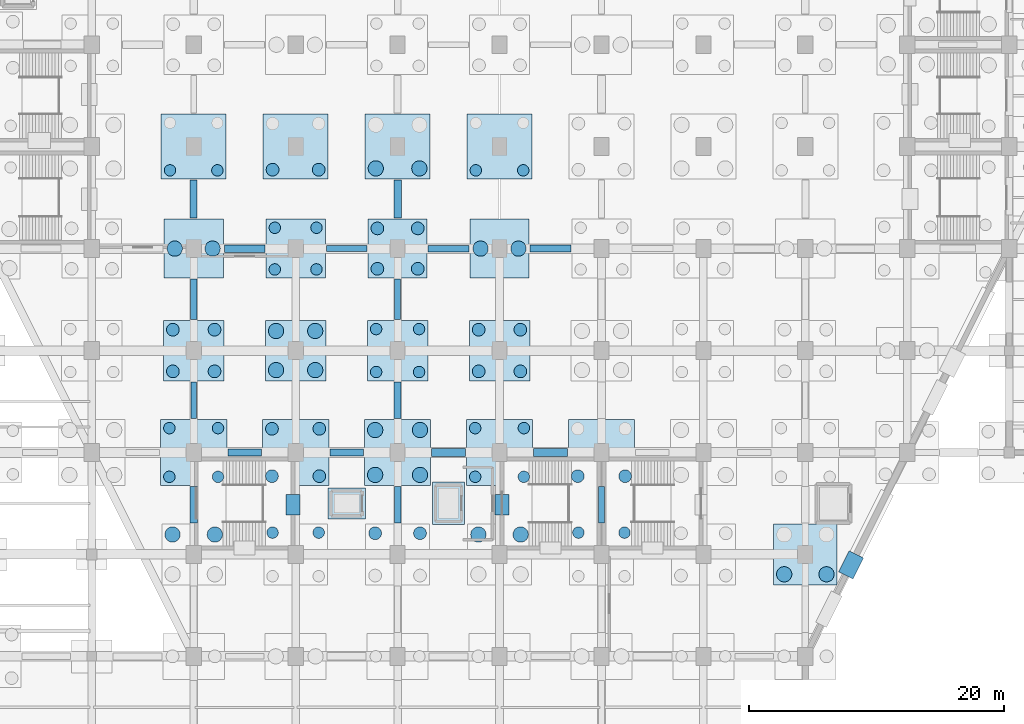
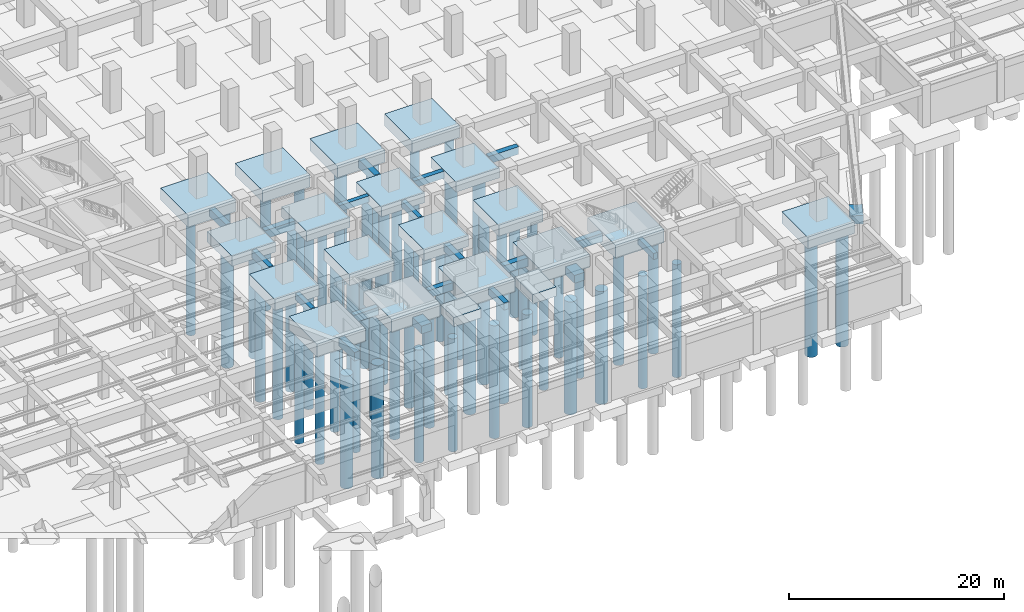
# One storey, part 4 of 36: 66 piles, 40 footings.
"""IFC4 building model written with IfcOpenShell, lengths in metres."""

from ifc_helpers import new_model, si_unit, direction, frame, origin, origin_2d, place, context, subcontext, project, spatial, rectangle, circle, extrude, material, material_profile, profile_set, type_object, element, save


model = new_model("IFC4")

# Units and contexts
model_context = context("Model", 3, precision=1e-05, world=origin(), true_north=direction((0.0, 1.0)))
body_context = subcontext(model_context, "Body", "Model", "MODEL_VIEW")
ifc_project = project(units=[si_unit("LENGTHUNIT", "METRE"), si_unit("AREAUNIT", "SQUARE_METRE"), si_unit("VOLUMEUNIT", "CUBIC_METRE"), si_unit("PLANEANGLEUNIT", "RADIAN"), si_unit("MASSUNIT", "GRAM", prefix="KILO")], contexts=[model_context])

# Site, building, storey
site_placement = place(None, origin())
site = spatial("IfcSite", under=ifc_project, at=site_placement, CompositionType="ELEMENT")
building_placement = place(site_placement, origin())
building = spatial("IfcBuilding", under=site, at=building_placement, Name="Tazarka Park Arena", CompositionType="ELEMENT")
storey_placement = place(building_placement, frame((0.0, 0.0, -4.800048828125)))
storey = spatial("IfcBuildingStorey", under=building, at=storey_placement, Name="B1", CompositionType="ELEMENT", Elevation=-4.800048828125)

# Footings
ifc_material_1 = material(Name="Concrete C35/45", Category="concrete")
footing_type_1 = type_object("IfcFootingType", Name="CAP-PC-04", PredefinedType="PILE_CAP", material=ifc_material_1)
footing_1_placement = place(storey_placement, frame((112.0, 24.0, -1.2998046875), z_axis=(0.0, 0.0, 1.0), x_axis=(1.0, 0.0, 0.0)))
element("IfcFooting", 1, at=footing_1_placement, inside=storey, type_object=footing_type_1, Name="CAP-G-14-03", PredefinedType="PILE_CAP", context=body_context, shape_type="SweptSolid", body=[
    extrude(rectangle(XDim=5.0, YDim=4.800048828125, at=origin_2d()), origin(), (0.0, 0.0, 1.0), 1.300048828125),
])
ifc_material_2 = material(Name="Concrete C35/45", Category="concrete")
footing_type_2 = type_object("IfcFootingType", Name="CAP-PC-05", PredefinedType="PILE_CAP", material=ifc_material_2)
for number, where, z_axis, x_axis, name in (
    (2, (64.0, 32.0, -1.5), (0.0, 0.0, 1.0), (1.0, 0.0, 0.0), "CAP-G-08-04"),
    (3, (72.0, 32.0, -1.5), (0.0, 0.0, 1.0), (1.0, 0.0, 0.0), "CAP-G-09-04"),
    (4, (80.0, 32.0, -1.5), (0.0, 0.0, 1.0), (1.0, 0.0, 0.0), "CAP-G-10-04"),
    (5, (88.0, 32.0, -1.5), (0.0, 0.0, 1.0), (1.0, 0.0, 0.0), "CAP-G-11-04"),
    (6, (96.0, 32.0, -1.5), (0.0, 0.0, 1.0), (1.0, 0.0, 0.0), "CAP-G-12-04"),
):
    element("IfcFooting", number, at=place(storey_placement, frame(where, z_axis=z_axis, x_axis=x_axis)), inside=storey, type_object=footing_type_2, Name=name, PredefinedType="PILE_CAP", context=body_context, shape_type="SweptSolid", body=[
        extrude(rectangle(XDim=5.199951171875, YDim=5.199951171875, at=origin_2d()), origin(), (0.0, 0.0, 1.0), 1.5),
    ])
ifc_material_3 = material(Name="Concrete C35/45", Category="concrete")
footing_type_3 = type_object("IfcFootingType", Name="CAP-PC-06", PredefinedType="PILE_CAP", material=ifc_material_3)
for number, where, z_axis, x_axis, name in (
    (7, (64.0, 40.0, -1.25), (0.0, 0.0, 1.0), (1.0, 0.0, 0.0), "CAP-G-08-05"),
    (8, (72.0, 40.0, -1.25), (0.0, 0.0, 1.0), (1.0, 0.0, 0.0), "CAP-G-09-05"),
    (9, (80.0, 40.0, -1.25), (0.0, 0.0, 1.0), (1.0, 0.0, 0.0), "CAP-G-10-05"),
    (10, (88.0, 40.0, -1.25), (0.0, 0.0, 1.0), (1.0, 0.0, 0.0), "CAP-G-11-05"),
):
    element("IfcFooting", number, at=place(storey_placement, frame(where, z_axis=z_axis, x_axis=x_axis)), inside=storey, type_object=footing_type_3, Name=name, PredefinedType="PILE_CAP", context=body_context, shape_type="SweptSolid", body=[
        extrude(rectangle(XDim=4.75, YDim=4.75, at=origin_2d()), origin(), (0.0, 0.0, 1.0), 1.25),
    ])
ifc_material_4 = material(Name="Concrete C35/45", Category="concrete")
footing_type_4 = type_object("IfcFootingType", Name="CAP-PC-07", PredefinedType="PILE_CAP", material=ifc_material_4)
for number, where, z_axis, x_axis, name in (
    (11, (64.0, 48.0, -1.14990234375), (0.0, 0.0, 1.0), (1.0, 0.0, 0.0), "CAP-G-08-06"),
    (12, (72.0, 48.0, -1.14990234375), (0.0, 0.0, 1.0), (1.0, 0.0, 0.0), "CAP-G-09-06"),
    (13, (80.0, 48.0, -1.14990234375), (0.0, 0.0, 1.0), (1.0, 0.0, 0.0), "CAP-G-10-06"),
    (14, (88.0, 48.0, -1.14990234375), (0.0, 0.0, 1.0), (1.0, 0.0, 0.0), "CAP-G-11-06"),
):
    element("IfcFooting", number, at=place(storey_placement, frame(where, z_axis=z_axis, x_axis=x_axis)), inside=storey, type_object=footing_type_4, Name=name, PredefinedType="PILE_CAP", context=body_context, shape_type="SweptSolid", body=[
        extrude(rectangle(XDim=4.64990234375, YDim=4.64990234375, at=origin_2d()), origin(), (0.0, 0.0, 1.0), 1.14990234375),
    ])
ifc_material_5 = material(Name="Concrete C35/45", Category="concrete")
footing_type_5 = type_object("IfcFootingType", Name="CAP-PC-08", PredefinedType="PILE_CAP", material=ifc_material_5)
for number, where, z_axis, x_axis, name in (
    (15, (64.0, 56.0, -1.35009765625), (0.0, 0.0, 1.0), (1.0, 0.0, 0.0), "CAP-G-08-07"),
    (16, (72.0, 56.0, -1.35009765625), (0.0, 0.0, 1.0), (1.0, 0.0, 0.0), "CAP-G-09-07"),
    (17, (80.0, 56.0, -1.35009765625), (0.0, 0.0, 1.0), (1.0, 0.0, 0.0), "CAP-G-10-07"),
    (18, (88.0, 56.0, -1.35009765625), (0.0, 0.0, 1.0), (1.0, 0.0, 0.0), "CAP-G-11-07"),
):
    element("IfcFooting", number, at=place(storey_placement, frame(where, z_axis=z_axis, x_axis=x_axis)), inside=storey, type_object=footing_type_5, Name=name, PredefinedType="PILE_CAP", context=body_context, shape_type="SweptSolid", body=[
        extrude(rectangle(XDim=5.10009765625, YDim=5.10009765625, at=origin_2d()), origin(), (0.0, 0.0, 1.0), 1.35009765625),
    ])
ifc_material_6 = material(Name="Concrete C35/45", Category="concrete")
ifc_material_profile_1 = material_profile(ifc_material_6, rectangle(XDim=0.449951171875, YDim=0.699951171875, at=origin_2d()), Name="Concrete C35/45")
ifc_profile_set_1 = profile_set([ifc_material_profile_1], Name="Concrete C35/45")
footing_type_6 = type_object("IfcFootingType", Name="GB-GB-01", PredefinedType="FOOTING_BEAM", material=ifc_profile_set_1)
footing_2_placement = place(storey_placement, frame((64.0, 34.679931640625, -0.349853515625), z_axis=(0.0, 1.0, 0.0), x_axis=(-1.0, 0.0, 0.0)))
element("IfcFooting", 19, at=footing_2_placement, inside=storey, type_object=footing_type_6, Name="GB-Y-08-04", PredefinedType="FOOTING_BEAM", context=body_context, shape_type="SweptSolid", body=[
    extrude(rectangle(XDim=0.449951171875, YDim=0.699951171875, at=origin_2d()), origin(), (0.0, 0.0, 1.0), 2.864990234375),
])
footing_3_placement = place(storey_placement, frame((74.405029296875, 48.0, -0.349853515625), z_axis=(1.0, 0.0, 0.0), x_axis=(0.0, 1.0, 0.0)))
element("IfcFooting", 20, at=footing_3_placement, inside=storey, type_object=footing_type_6, Name="GB-X-09-06", PredefinedType="FOOTING_BEAM", context=body_context, shape_type="SweptSolid", body=[
    extrude(rectangle(XDim=0.449951171875, YDim=0.699951171875, at=origin_2d()), origin(), (0.0, 0.0, 1.0), 3.18994140625),
])
footing_4_placement = place(storey_placement, frame((80.0, 42.455078125, -0.349853515625), z_axis=(0.0, 1.0, 0.0), x_axis=(-1.0, 0.0, 0.0)))
element("IfcFooting", 21, at=footing_4_placement, inside=storey, type_object=footing_type_6, Name="GB-Y-10-05", PredefinedType="FOOTING_BEAM", context=body_context, shape_type="SweptSolid", body=[
    extrude(rectangle(XDim=0.449951171875, YDim=0.699951171875, at=origin_2d()), origin(), (0.0, 0.0, 1.0), 3.139892578125),
])
footing_5_placement = place(storey_placement, frame((96.0, 26.47998046875, -0.349853515625), z_axis=(0.0, 1.0, 0.0), x_axis=(-1.0, 0.0, 0.0)))
element("IfcFooting", 22, at=footing_5_placement, inside=storey, type_object=footing_type_6, Name="GB-Y-12-03", PredefinedType="FOOTING_BEAM", context=body_context, shape_type="SweptSolid", body=[
    extrude(rectangle(XDim=0.449951171875, YDim=0.699951171875, at=origin_2d()), origin(), (0.0, 0.0, 1.0), 2.840087890625),
])
ifc_material_7 = material(Name="Concrete C35/45", Category="concrete")
ifc_material_profile_2 = material_profile(ifc_material_7, rectangle(XDim=0.5, YDim=0.800048828125, at=origin_2d()), Name="Concrete C35/45")
ifc_profile_set_2 = profile_set([ifc_material_profile_2], Name="Concrete C35/45")
footing_type_7 = type_object("IfcFootingType", Name="GB-GB-02", PredefinedType="FOOTING_BEAM", material=ifc_profile_set_2)
footing_6_placement = place(storey_placement, frame((64.0, 42.455078125, -0.39990234375), z_axis=(0.0, 1.0, 0.0), x_axis=(-1.0, 0.0, 0.0)))
element("IfcFooting", 23, at=footing_6_placement, inside=storey, type_object=footing_type_7, Name="GB-Y-08-05", PredefinedType="FOOTING_BEAM", context=body_context, shape_type="SweptSolid", body=[
    extrude(rectangle(XDim=0.5, YDim=0.800048828125, at=origin_2d()), origin(), (0.0, 0.0, 1.0), 3.139892578125),
])
footing_7_placement = place(storey_placement, frame((80.0, 26.47998046875, -0.39990234375), z_axis=(0.0, 1.0, 0.0), x_axis=(-1.0, 0.0, 0.0)))
element("IfcFooting", 24, at=footing_7_placement, inside=storey, type_object=footing_type_7, Name="GB-Y-10-03", PredefinedType="FOOTING_BEAM", context=body_context, shape_type="SweptSolid", body=[
    extrude(rectangle(XDim=0.5, YDim=0.800048828125, at=origin_2d()), origin(), (0.0, 0.0, 1.0), 2.840087890625),
])
footing_8_placement = place(storey_placement, frame((82.405029296875, 48.0, -0.39990234375), z_axis=(1.0, 0.0, 0.0), x_axis=(0.0, 1.0, 0.0)))
element("IfcFooting", 25, at=footing_8_placement, inside=storey, type_object=footing_type_7, Name="GB-X-10-06", PredefinedType="FOOTING_BEAM", context=body_context, shape_type="SweptSolid", body=[
    extrude(rectangle(XDim=0.5, YDim=0.800048828125, at=origin_2d()), origin(), (0.0, 0.0, 1.0), 3.18994140625),
])
ifc_material_8 = material(Name="Concrete C35/45", Category="concrete")
ifc_material_profile_3 = material_profile(ifc_material_8, rectangle(XDim=0.60009765625, YDim=0.949951171875, at=origin_2d()), Name="Concrete C35/45")
ifc_profile_set_3 = profile_set([ifc_material_profile_3], Name="Concrete C35/45")
footing_type_8 = type_object("IfcFootingType", Name="GB-GB-03", PredefinedType="FOOTING_BEAM", material=ifc_profile_set_3)
footing_9_placement = place(storey_placement, frame((64.0, 26.47998046875, -0.474853515625), z_axis=(0.0, 1.0, 0.0), x_axis=(-1.0, 0.0, 0.0)))
element("IfcFooting", 26, at=footing_9_placement, inside=storey, type_object=footing_type_8, Name="GB-Y-08-03", PredefinedType="FOOTING_BEAM", context=body_context, shape_type="SweptSolid", body=[
    extrude(rectangle(XDim=0.60009765625, YDim=0.949951171875, at=origin_2d()), origin(), (0.0, 0.0, 1.0), 2.840087890625),
])
footing_10_placement = place(storey_placement, frame((66.405029296875, 48.0, -0.474853515625), z_axis=(1.0, 0.0, 0.0), x_axis=(0.0, 1.0, 0.0)))
element("IfcFooting", 27, at=footing_10_placement, inside=storey, type_object=footing_type_8, Name="GB-X-08-06", PredefinedType="FOOTING_BEAM", context=body_context, shape_type="SweptSolid", body=[
    extrude(rectangle(XDim=0.60009765625, YDim=0.949951171875, at=origin_2d()), origin(), (0.0, 0.0, 1.0), 3.18994140625),
])
footing_11_placement = place(storey_placement, frame((82.679931640625, 32.0, -0.474853515625), z_axis=(1.0, 0.0, 0.0), x_axis=(0.0, 1.0, 0.0)))
element("IfcFooting", 28, at=footing_11_placement, inside=storey, type_object=footing_type_8, Name="GB-X-10-04", PredefinedType="FOOTING_BEAM", context=body_context, shape_type="SweptSolid", body=[
    extrude(rectangle(XDim=0.60009765625, YDim=0.949951171875, at=origin_2d()), origin(), (0.0, 0.0, 1.0), 2.64013671875),
])
footing_12_placement = place(storey_placement, frame((80.0, 50.405029296875, -0.474853515625), z_axis=(0.0, 1.0, 0.0), x_axis=(-1.0, 0.0, 0.0)))
element("IfcFooting", 29, at=footing_12_placement, inside=storey, type_object=footing_type_8, Name="GB-Y-10-06", PredefinedType="FOOTING_BEAM", context=body_context, shape_type="SweptSolid", body=[
    extrude(rectangle(XDim=0.60009765625, YDim=0.949951171875, at=origin_2d()), origin(), (0.0, 0.0, 1.0), 2.965087890625),
])
footing_13_placement = place(storey_placement, frame((90.679931640625, 32.0, -0.474853515625), z_axis=(1.0, 0.0, 0.0), x_axis=(0.0, 1.0, 0.0)))
element("IfcFooting", 30, at=footing_13_placement, inside=storey, type_object=footing_type_8, Name="GB-X-11-04", PredefinedType="FOOTING_BEAM", context=body_context, shape_type="SweptSolid", body=[
    extrude(rectangle(XDim=0.60009765625, YDim=0.949951171875, at=origin_2d()), origin(), (0.0, 0.0, 1.0), 2.64013671875),
])
ifc_material_9 = material(Name="Concrete C35/45", Category="concrete")
ifc_material_profile_4 = material_profile(ifc_material_9, rectangle(XDim=0.550048828125, YDim=0.85009765625, at=origin_2d()), Name="Concrete C35/45")
ifc_profile_set_4 = profile_set([ifc_material_profile_4], Name="Concrete C35/45")
footing_type_9 = type_object("IfcFootingType", Name="GB-GB-04", PredefinedType="FOOTING_BEAM", material=ifc_profile_set_4)
footing_14_placement = place(storey_placement, frame((66.679931640625, 32.0, -0.425048828125), z_axis=(1.0, 0.0, 0.0), x_axis=(0.0, 1.0, 0.0)))
element("IfcFooting", 31, at=footing_14_placement, inside=storey, type_object=footing_type_9, Name="GB-X-08-04", PredefinedType="FOOTING_BEAM", context=body_context, shape_type="SweptSolid", body=[
    extrude(rectangle(XDim=0.550048828125, YDim=0.85009765625, at=origin_2d()), origin(), (0.0, 0.0, 1.0), 2.64013671875),
])
footing_15_placement = place(storey_placement, frame((64.0, 50.405029296875, -0.425048828125), z_axis=(0.0, 1.0, 0.0), x_axis=(-1.0, 0.0, 0.0)))
element("IfcFooting", 32, at=footing_15_placement, inside=storey, type_object=footing_type_9, Name="GB-Y-08-06", PredefinedType="FOOTING_BEAM", context=body_context, shape_type="SweptSolid", body=[
    extrude(rectangle(XDim=0.550048828125, YDim=0.85009765625, at=origin_2d()), origin(), (0.0, 0.0, 1.0), 2.965087890625),
])
footing_16_placement = place(storey_placement, frame((74.679931640625, 32.0, -0.425048828125), z_axis=(1.0, 0.0, 0.0), x_axis=(0.0, 1.0, 0.0)))
element("IfcFooting", 33, at=footing_16_placement, inside=storey, type_object=footing_type_9, Name="GB-X-09-04", PredefinedType="FOOTING_BEAM", context=body_context, shape_type="SweptSolid", body=[
    extrude(rectangle(XDim=0.550048828125, YDim=0.85009765625, at=origin_2d()), origin(), (0.0, 0.0, 1.0), 2.64013671875),
])
footing_17_placement = place(storey_placement, frame((80.0, 34.679931640625, -0.425048828125), z_axis=(0.0, 1.0, 0.0), x_axis=(-1.0, 0.0, 0.0)))
element("IfcFooting", 34, at=footing_17_placement, inside=storey, type_object=footing_type_9, Name="GB-Y-10-04", PredefinedType="FOOTING_BEAM", context=body_context, shape_type="SweptSolid", body=[
    extrude(rectangle(XDim=0.550048828125, YDim=0.85009765625, at=origin_2d()), origin(), (0.0, 0.0, 1.0), 2.864990234375),
])
footing_18_placement = place(storey_placement, frame((90.405029296875, 48.0, -0.425048828125), z_axis=(1.0, 0.0, 0.0), x_axis=(0.0, 1.0, 0.0)))
element("IfcFooting", 35, at=footing_18_placement, inside=storey, type_object=footing_type_9, Name="GB-X-11-06", PredefinedType="FOOTING_BEAM", context=body_context, shape_type="SweptSolid", body=[
    extrude(rectangle(XDim=0.550048828125, YDim=0.85009765625, at=origin_2d()), origin(), (0.0, 0.0, 1.0), 3.18994140625),
])
ifc_material_10 = material(Name="Concrete C35/45", Category="concrete")
footing_type_10 = type_object("IfcFootingType", Name="PAD-PF-05", PredefinedType="PAD_FOOTING", material=ifc_material_10)
footing_19_placement = place(storey_placement, frame((84.0, 28.0, -1.0498046875), z_axis=(0.0, 0.0, 1.0), x_axis=(1.0, 0.0, 0.0)))
element("IfcFooting", 36, at=footing_19_placement, inside=storey, type_object=footing_type_10, Name="PAD-LF-LF-04", PredefinedType="PAD_FOOTING", context=body_context, shape_type="SweptSolid", body=[
    extrude(rectangle(XDim=2.5400390625, YDim=3.340087890625, at=origin_2d()), origin(), (0.0, 0.0, 1.0), 1.050048828125),
])
footing_20_placement = place(storey_placement, frame((76.0, 28.0, -1.0498046875), z_axis=(0.0, 0.0, 1.0), x_axis=(1.0, 0.0, 0.0)))
element("IfcFooting", 37, at=footing_20_placement, inside=storey, type_object=footing_type_10, Name="PAD-LF-LF-08", PredefinedType="PAD_FOOTING", context=body_context, shape_type="SweptSolid", body=[
    extrude(rectangle(XDim=2.93994140625, YDim=2.43994140625, at=origin_2d()), origin(), (0.0, 0.0, 1.0), 1.050048828125),
])

# Piles
ifc_material_11 = material(Name="Concrete C35/45", Category="concrete")
ifc_material_profile_5 = material_profile(ifc_material_11, circle(Radius=0.5, at=origin_2d()), Name="Concrete C35/45")
ifc_profile_set_5 = profile_set([ifc_material_profile_5], Name="Concrete C35/45")
pile_type_1 = type_object("IfcPileType", Name="PILE-D1000", PredefinedType="BORED", material=ifc_profile_set_5)
for number, where, z_axis, x_axis, name in (
    (38, (62.364990234375, 38.364990234375, -1.14990234375), (0.0, 0.0, -1.0), (1.0, 0.0, 0.0), "PLN-G-08-05-1"),
    (39, (65.635009765625, 38.364990234375, -1.14990234375), (0.0, 0.0, -1.0), (1.0, 0.0, 0.0), "PLN-G-08-05-2"),
    (40, (62.364990234375, 41.635009765625, -1.14990234375), (0.0, 0.0, -1.0), (1.0, 0.0, 0.0), "PLN-G-08-05-3"),
    (41, (65.635009765625, 41.635009765625, -1.14990234375), (0.0, 0.0, -1.0), (1.0, 0.0, 0.0), "PLN-G-08-05-4"),
):
    element("IfcPile", number, at=place(storey_placement, frame(where, z_axis=z_axis, x_axis=x_axis)), inside=storey, type_object=pile_type_1, Name=name, PredefinedType="BORED", context=body_context, shape_type="SweptSolid", body=[
        extrude(circle(Radius=0.5, at=origin_2d()), origin(), (0.0, 0.0, 1.0), 12.85009765625),
    ])
for number, where, z_axis, x_axis, name in (
    (42, (70.139892578125, 30.139892578125, -1.39990234375), (0.0, 0.0, -1.0), (1.0, 0.0, 0.0), "PLN-G-09-04-1"),
    (43, (73.860107421875, 30.139892578125, -1.39990234375), (0.0, 0.0, -1.0), (1.0, 0.0, 0.0), "PLN-G-09-04-2"),
    (44, (70.139892578125, 33.860107421875, -1.39990234375), (0.0, 0.0, -1.0), (1.0, 0.0, 0.0), "PLN-G-09-04-3"),
    (45, (73.860107421875, 33.860107421875, -1.39990234375), (0.0, 0.0, -1.0), (1.0, 0.0, 0.0), "PLN-G-09-04-4"),
):
    element("IfcPile", number, at=place(storey_placement, frame(where, z_axis=z_axis, x_axis=x_axis)), inside=storey, type_object=pile_type_1, Name=name, PredefinedType="BORED", context=body_context, shape_type="SweptSolid", body=[
        extrude(circle(Radius=0.5, at=origin_2d()), origin(), (0.0, 0.0, 1.0), 12.60009765625),
    ])
for number, where, z_axis, x_axis, name in (
    (46, (70.18994140625, 54.18994140625, -1.25), (0.0, 0.0, -1.0), (1.0, 0.0, 0.0), "PLN-G-09-07-1"),
    (47, (73.81005859375, 54.18994140625, -1.25), (0.0, 0.0, -1.0), (1.0, 0.0, 0.0), "PLN-G-09-07-2"),
):
    element("IfcPile", number, at=place(storey_placement, frame(where, z_axis=z_axis, x_axis=x_axis)), inside=storey, type_object=pile_type_1, Name=name, PredefinedType="BORED", context=body_context, shape_type="SweptSolid", body=[
        extrude(circle(Radius=0.5, at=origin_2d()), origin(), (0.0, 0.0, 1.0), 12.75),
    ])
for number, where, z_axis, x_axis, name in (
    (48, (78.239990234375, 25.659912109375, -1.199951171875), (0.0, 0.0, -1.0), (1.0, 0.0, 0.0), "PLN-G-10-03-3"),
    (49, (81.760009765625, 25.659912109375, -1.199951171875), (0.0, 0.0, -1.0), (1.0, 0.0, 0.0), "PLN-G-10-03-4"),
):
    element("IfcPile", number, at=place(storey_placement, frame(where, z_axis=z_axis, x_axis=x_axis)), inside=storey, type_object=pile_type_1, Name=name, PredefinedType="BORED", context=body_context, shape_type="SweptSolid", body=[
        extrude(circle(Radius=0.5, at=origin_2d()), origin(), (0.0, 0.0, 1.0), 12.800048828125),
    ])
for number, where, z_axis, x_axis, name in (
    (50, (78.4150390625, 46.4150390625, -1.050048828125), (0.0, 0.0, -1.0), (1.0, 0.0, 0.0), "PLN-G-10-06-1"),
    (51, (81.5849609375, 46.4150390625, -1.050048828125), (0.0, 0.0, -1.0), (1.0, 0.0, 0.0), "PLN-G-10-06-2"),
    (52, (78.4150390625, 49.5849609375, -1.050048828125), (0.0, 0.0, -1.0), (1.0, 0.0, 0.0), "PLN-G-10-06-3"),
    (53, (81.5849609375, 49.5849609375, -1.050048828125), (0.0, 0.0, -1.0), (1.0, 0.0, 0.0), "PLN-G-10-06-4"),
):
    element("IfcPile", number, at=place(storey_placement, frame(where, z_axis=z_axis, x_axis=x_axis)), inside=storey, type_object=pile_type_1, Name=name, PredefinedType="BORED", context=body_context, shape_type="SweptSolid", body=[
        extrude(circle(Radius=0.5, at=origin_2d()), origin(), (0.0, 0.0, 1.0), 12.949951171875),
    ])
for number, where, z_axis, x_axis, name in (
    (54, (86.364990234375, 38.364990234375, -1.14990234375), (0.0, 0.0, -1.0), (1.0, 0.0, 0.0), "PLN-G-11-05-1"),
    (55, (89.635009765625, 38.364990234375, -1.14990234375), (0.0, 0.0, -1.0), (1.0, 0.0, 0.0), "PLN-G-11-05-2"),
    (56, (86.364990234375, 41.635009765625, -1.14990234375), (0.0, 0.0, -1.0), (1.0, 0.0, 0.0), "PLN-G-11-05-3"),
    (57, (89.635009765625, 41.635009765625, -1.14990234375), (0.0, 0.0, -1.0), (1.0, 0.0, 0.0), "PLN-G-11-05-4"),
):
    element("IfcPile", number, at=place(storey_placement, frame(where, z_axis=z_axis, x_axis=x_axis)), inside=storey, type_object=pile_type_1, Name=name, PredefinedType="BORED", context=body_context, shape_type="SweptSolid", body=[
        extrude(circle(Radius=0.5, at=origin_2d()), origin(), (0.0, 0.0, 1.0), 12.85009765625),
    ])
for number, where, z_axis, x_axis, name in (
    (58, (94.139892578125, 30.139892578125, -1.39990234375), (0.0, 0.0, -1.0), (1.0, 0.0, 0.0), "PLN-G-12-04-1"),
    (59, (97.860107421875, 30.139892578125, -1.39990234375), (0.0, 0.0, -1.0), (1.0, 0.0, 0.0), "PLN-G-12-04-2"),
):
    element("IfcPile", number, at=place(storey_placement, frame(where, z_axis=z_axis, x_axis=x_axis)), inside=storey, type_object=pile_type_1, Name=name, PredefinedType="BORED", context=body_context, shape_type="SweptSolid", body=[
        extrude(circle(Radius=0.5, at=origin_2d()), origin(), (0.0, 0.0, 1.0), 12.60009765625),
    ])
ifc_material_12 = material(Name="Concrete C35/45", Category="concrete")
ifc_material_profile_6 = material_profile(ifc_material_12, circle(Radius=0.60009765625, at=origin_2d()), Name="Concrete C35/45")
ifc_profile_set_6 = profile_set([ifc_material_profile_6], Name="Concrete C35/45")
pile_type_2 = type_object("IfcPileType", Name="PILE-D1200", PredefinedType="BORED", material=ifc_profile_set_6)
for number, where, z_axis, x_axis, name in (
    (60, (62.340087890625, 25.56005859375, -1.199951171875), (0.0, 0.0, -1.0), (1.0, 0.0, 0.0), "PLN-G-08-03-3"),
    (61, (65.659912109375, 25.56005859375, -1.199951171875), (0.0, 0.0, -1.0), (1.0, 0.0, 0.0), "PLN-G-08-03-4"),
):
    element("IfcPile", number, at=place(storey_placement, frame(where, z_axis=z_axis, x_axis=x_axis)), inside=storey, type_object=pile_type_2, Name=name, PredefinedType="BORED", context=body_context, shape_type="SweptSolid", body=[
        extrude(circle(Radius=0.60009765625, at=origin_2d()), origin(), (0.0, 0.0, 1.0), 12.800048828125),
    ])
for number, where, z_axis, x_axis, name in (
    (62, (62.514892578125, 48.0, -1.050048828125), (0.0, 0.0, -1.0), (1.0, 0.0, 0.0), "PLN-G-08-06-1"),
    (63, (65.485107421875, 48.0, -1.050048828125), (0.0, 0.0, -1.0), (1.0, 0.0, 0.0), "PLN-G-08-06-2"),
):
    element("IfcPile", number, at=place(storey_placement, frame(where, z_axis=z_axis, x_axis=x_axis)), inside=storey, type_object=pile_type_2, Name=name, PredefinedType="BORED", context=body_context, shape_type="SweptSolid", body=[
        extrude(circle(Radius=0.60009765625, at=origin_2d()), origin(), (0.0, 0.0, 1.0), 12.949951171875),
    ])
for number, where, z_axis, x_axis, name in (
    (64, (70.465087890625, 38.465087890625, -1.14990234375), (0.0, 0.0, -1.0), (1.0, 0.0, 0.0), "PLN-G-09-05-1"),
    (65, (73.534912109375, 38.465087890625, -1.14990234375), (0.0, 0.0, -1.0), (1.0, 0.0, 0.0), "PLN-G-09-05-2"),
    (66, (70.465087890625, 41.534912109375, -1.14990234375), (0.0, 0.0, -1.0), (1.0, 0.0, 0.0), "PLN-G-09-05-3"),
    (67, (73.534912109375, 41.534912109375, -1.14990234375), (0.0, 0.0, -1.0), (1.0, 0.0, 0.0), "PLN-G-09-05-4"),
):
    element("IfcPile", number, at=place(storey_placement, frame(where, z_axis=z_axis, x_axis=x_axis)), inside=storey, type_object=pile_type_2, Name=name, PredefinedType="BORED", context=body_context, shape_type="SweptSolid", body=[
        extrude(circle(Radius=0.60009765625, at=origin_2d()), origin(), (0.0, 0.0, 1.0), 12.85009765625),
    ])
for number, where, z_axis, x_axis, name in (
    (68, (78.239990234375, 30.239990234375, -1.39990234375), (0.0, 0.0, -1.0), (1.0, 0.0, 0.0), "PLN-G-10-04-1"),
    (69, (81.760009765625, 30.239990234375, -1.39990234375), (0.0, 0.0, -1.0), (1.0, 0.0, 0.0), "PLN-G-10-04-2"),
    (70, (78.239990234375, 33.760009765625, -1.39990234375), (0.0, 0.0, -1.0), (1.0, 0.0, 0.0), "PLN-G-10-04-3"),
    (71, (81.760009765625, 33.760009765625, -1.39990234375), (0.0, 0.0, -1.0), (1.0, 0.0, 0.0), "PLN-G-10-04-4"),
):
    element("IfcPile", number, at=place(storey_placement, frame(where, z_axis=z_axis, x_axis=x_axis)), inside=storey, type_object=pile_type_2, Name=name, PredefinedType="BORED", context=body_context, shape_type="SweptSolid", body=[
        extrude(circle(Radius=0.60009765625, at=origin_2d()), origin(), (0.0, 0.0, 1.0), 12.60009765625),
    ])
for number, where, z_axis, x_axis, name in (
    (72, (78.2900390625, 54.2900390625, -1.25), (0.0, 0.0, -1.0), (1.0, 0.0, 0.0), "PLN-G-10-07-1"),
    (73, (81.7099609375, 54.2900390625, -1.25), (0.0, 0.0, -1.0), (1.0, 0.0, 0.0), "PLN-G-10-07-2"),
):
    element("IfcPile", number, at=place(storey_placement, frame(where, z_axis=z_axis, x_axis=x_axis)), inside=storey, type_object=pile_type_2, Name=name, PredefinedType="BORED", context=body_context, shape_type="SweptSolid", body=[
        extrude(circle(Radius=0.60009765625, at=origin_2d()), origin(), (0.0, 0.0, 1.0), 12.75),
    ])
for number, where, z_axis, x_axis, name in (
    (74, (86.340087890625, 25.56005859375, -1.199951171875), (0.0, 0.0, -1.0), (1.0, 0.0, 0.0), "PLN-G-11-03-3"),
    (75, (89.659912109375, 25.56005859375, -1.199951171875), (0.0, 0.0, -1.0), (1.0, 0.0, 0.0), "PLN-G-11-03-4"),
):
    element("IfcPile", number, at=place(storey_placement, frame(where, z_axis=z_axis, x_axis=x_axis)), inside=storey, type_object=pile_type_2, Name=name, PredefinedType="BORED", context=body_context, shape_type="SweptSolid", body=[
        extrude(circle(Radius=0.60009765625, at=origin_2d()), origin(), (0.0, 0.0, 1.0), 12.800048828125),
    ])
for number, where, z_axis, x_axis, name in (
    (76, (86.514892578125, 48.0, -1.050048828125), (0.0, 0.0, -1.0), (1.0, 0.0, 0.0), "PLN-G-11-06-1"),
    (77, (89.485107421875, 48.0, -1.050048828125), (0.0, 0.0, -1.0), (1.0, 0.0, 0.0), "PLN-G-11-06-2"),
):
    element("IfcPile", number, at=place(storey_placement, frame(where, z_axis=z_axis, x_axis=x_axis)), inside=storey, type_object=pile_type_2, Name=name, PredefinedType="BORED", context=body_context, shape_type="SweptSolid", body=[
        extrude(circle(Radius=0.60009765625, at=origin_2d()), origin(), (0.0, 0.0, 1.0), 12.949951171875),
    ])
for number, where, z_axis, x_axis, name in (
    (78, (110.340087890625, 22.43994140625, -1.199951171875), (0.0, 0.0, -1.0), (1.0, 0.0, 0.0), "PLN-G-14-03-1"),
    (79, (113.659912109375, 22.43994140625, -1.199951171875), (0.0, 0.0, -1.0), (1.0, 0.0, 0.0), "PLN-G-14-03-2"),
):
    element("IfcPile", number, at=place(storey_placement, frame(where, z_axis=z_axis, x_axis=x_axis)), inside=storey, type_object=pile_type_2, Name=name, PredefinedType="BORED", context=body_context, shape_type="SweptSolid", body=[
        extrude(circle(Radius=0.60009765625, at=origin_2d()), origin(), (0.0, 0.0, 1.0), 12.800048828125),
    ])
ifc_material_13 = material(Name="Concrete C35/45", Category="concrete")
ifc_material_profile_7 = material_profile(ifc_material_13, circle(Radius=0.449951171875, at=origin_2d()), Name="Concrete C35/45")
ifc_profile_set_7 = profile_set([ifc_material_profile_7], Name="Concrete C35/45")
pile_type_3 = type_object("IfcPileType", Name="PILE-D900", PredefinedType="BORED", material=ifc_profile_set_7)
for number, where, z_axis, x_axis, name in (
    (80, (62.090087890625, 30.090087890625, -1.39990234375), (0.0, 0.0, -1.0), (1.0, 0.0, 0.0), "PLN-G-08-04-1"),
    (81, (65.909912109375, 30.090087890625, -1.39990234375), (0.0, 0.0, -1.0), (1.0, 0.0, 0.0), "PLN-G-08-04-2"),
    (82, (62.090087890625, 33.909912109375, -1.39990234375), (0.0, 0.0, -1.0), (1.0, 0.0, 0.0), "PLN-G-08-04-3"),
    (83, (65.909912109375, 33.909912109375, -1.39990234375), (0.0, 0.0, -1.0), (1.0, 0.0, 0.0), "PLN-G-08-04-4"),
):
    element("IfcPile", number, at=place(storey_placement, frame(where, z_axis=z_axis, x_axis=x_axis)), inside=storey, type_object=pile_type_3, Name=name, PredefinedType="BORED", context=body_context, shape_type="SweptSolid", body=[
        extrude(circle(Radius=0.449951171875, at=origin_2d()), origin(), (0.0, 0.0, 1.0), 12.60009765625),
    ])
for number, where, z_axis, x_axis, name in (
    (84, (62.139892578125, 54.139892578125, -1.25), (0.0, 0.0, -1.0), (1.0, 0.0, 0.0), "PLN-G-08-07-1"),
    (85, (65.860107421875, 54.139892578125, -1.25), (0.0, 0.0, -1.0), (1.0, 0.0, 0.0), "PLN-G-08-07-2"),
):
    element("IfcPile", number, at=place(storey_placement, frame(where, z_axis=z_axis, x_axis=x_axis)), inside=storey, type_object=pile_type_3, Name=name, PredefinedType="BORED", context=body_context, shape_type="SweptSolid", body=[
        extrude(circle(Radius=0.449951171875, at=origin_2d()), origin(), (0.0, 0.0, 1.0), 12.75),
    ])
for number, where, z_axis, x_axis, name in (
    (86, (70.18994140625, 25.7099609375, -1.199951171875), (0.0, 0.0, -1.0), (1.0, 0.0, 0.0), "PLN-G-09-03-3"),
    (87, (73.81005859375, 25.7099609375, -1.199951171875), (0.0, 0.0, -1.0), (1.0, 0.0, 0.0), "PLN-G-09-03-4"),
):
    element("IfcPile", number, at=place(storey_placement, frame(where, z_axis=z_axis, x_axis=x_axis)), inside=storey, type_object=pile_type_3, Name=name, PredefinedType="BORED", context=body_context, shape_type="SweptSolid", body=[
        extrude(circle(Radius=0.449951171875, at=origin_2d()), origin(), (0.0, 0.0, 1.0), 12.800048828125),
    ])
for number, where, z_axis, x_axis, name in (
    (88, (70.364990234375, 46.364990234375, -1.050048828125), (0.0, 0.0, -1.0), (1.0, 0.0, 0.0), "PLN-G-09-06-1"),
    (89, (73.635009765625, 46.364990234375, -1.050048828125), (0.0, 0.0, -1.0), (1.0, 0.0, 0.0), "PLN-G-09-06-2"),
    (90, (70.364990234375, 49.635009765625, -1.050048828125), (0.0, 0.0, -1.0), (1.0, 0.0, 0.0), "PLN-G-09-06-3"),
    (91, (73.635009765625, 49.635009765625, -1.050048828125), (0.0, 0.0, -1.0), (1.0, 0.0, 0.0), "PLN-G-09-06-4"),
):
    element("IfcPile", number, at=place(storey_placement, frame(where, z_axis=z_axis, x_axis=x_axis)), inside=storey, type_object=pile_type_3, Name=name, PredefinedType="BORED", context=body_context, shape_type="SweptSolid", body=[
        extrude(circle(Radius=0.449951171875, at=origin_2d()), origin(), (0.0, 0.0, 1.0), 12.949951171875),
    ])
for number, where, z_axis, x_axis, name in (
    (92, (78.31494140625, 38.31494140625, -1.14990234375), (0.0, 0.0, -1.0), (1.0, 0.0, 0.0), "PLN-G-10-05-1"),
    (93, (81.68505859375, 38.31494140625, -1.14990234375), (0.0, 0.0, -1.0), (1.0, 0.0, 0.0), "PLN-G-10-05-2"),
    (94, (78.31494140625, 41.68505859375, -1.14990234375), (0.0, 0.0, -1.0), (1.0, 0.0, 0.0), "PLN-G-10-05-3"),
    (95, (81.68505859375, 41.68505859375, -1.14990234375), (0.0, 0.0, -1.0), (1.0, 0.0, 0.0), "PLN-G-10-05-4"),
):
    element("IfcPile", number, at=place(storey_placement, frame(where, z_axis=z_axis, x_axis=x_axis)), inside=storey, type_object=pile_type_3, Name=name, PredefinedType="BORED", context=body_context, shape_type="SweptSolid", body=[
        extrude(circle(Radius=0.449951171875, at=origin_2d()), origin(), (0.0, 0.0, 1.0), 12.85009765625),
    ])
for number, where, z_axis, x_axis, name in (
    (96, (86.090087890625, 30.090087890625, -1.39990234375), (0.0, 0.0, -1.0), (1.0, 0.0, 0.0), "PLN-G-11-04-1"),
    (97, (89.909912109375, 30.090087890625, -1.39990234375), (0.0, 0.0, -1.0), (1.0, 0.0, 0.0), "PLN-G-11-04-2"),
    (98, (86.090087890625, 33.909912109375, -1.39990234375), (0.0, 0.0, -1.0), (1.0, 0.0, 0.0), "PLN-G-11-04-3"),
    (99, (89.909912109375, 33.909912109375, -1.39990234375), (0.0, 0.0, -1.0), (1.0, 0.0, 0.0), "PLN-G-11-04-4"),
):
    element("IfcPile", number, at=place(storey_placement, frame(where, z_axis=z_axis, x_axis=x_axis)), inside=storey, type_object=pile_type_3, Name=name, PredefinedType="BORED", context=body_context, shape_type="SweptSolid", body=[
        extrude(circle(Radius=0.449951171875, at=origin_2d()), origin(), (0.0, 0.0, 1.0), 12.60009765625),
    ])
for number, where, z_axis, x_axis, name in (
    (100, (86.139892578125, 54.139892578125, -1.25), (0.0, 0.0, -1.0), (1.0, 0.0, 0.0), "PLN-G-11-07-1"),
    (101, (89.860107421875, 54.139892578125, -1.25), (0.0, 0.0, -1.0), (1.0, 0.0, 0.0), "PLN-G-11-07-2"),
):
    element("IfcPile", number, at=place(storey_placement, frame(where, z_axis=z_axis, x_axis=x_axis)), inside=storey, type_object=pile_type_3, Name=name, PredefinedType="BORED", context=body_context, shape_type="SweptSolid", body=[
        extrude(circle(Radius=0.449951171875, at=origin_2d()), origin(), (0.0, 0.0, 1.0), 12.75),
    ])
for number, where, z_axis, x_axis, name in (
    (102, (94.18994140625, 25.7099609375, -1.199951171875), (0.0, 0.0, -1.0), (1.0, 0.0, 0.0), "PLN-G-12-03-3"),
    (103, (97.81005859375, 25.7099609375, -1.199951171875), (0.0, 0.0, -1.0), (1.0, 0.0, 0.0), "PLN-G-12-03-4"),
):
    element("IfcPile", number, at=place(storey_placement, frame(where, z_axis=z_axis, x_axis=x_axis)), inside=storey, type_object=pile_type_3, Name=name, PredefinedType="BORED", context=body_context, shape_type="SweptSolid", body=[
        extrude(circle(Radius=0.449951171875, at=origin_2d()), origin(), (0.0, 0.0, 1.0), 12.800048828125),
    ])

# Footings
ifc_material_14 = material(Name="Concrete C35/45", Category="concrete")
ifc_material_profile_8 = material_profile(ifc_material_14, rectangle(XDim=1.10009765625, YDim=0.89990234375, at=origin_2d()), Name="Concrete C35/45")
ifc_profile_set_8 = profile_set([ifc_material_profile_8], Name="Concrete C35/45")
footing_type_11 = type_object("IfcFootingType", Name="SF-SF-02", PredefinedType="STRIP_FOOTING", material=ifc_profile_set_8)
for number, where, z_axis, x_axis, name in (
    (104, (71.800048828125, 28.719970703125, -0.449951171875), (0.0, -1.0, 0.0), (1.0, 0.0, 0.0), "SF-ST09-E-1"),
    (105, (88.199951171875, 27.080078125, -0.449951171875), (0.0, 1.0, 0.0), (-1.0, 0.0, 0.0), "SF-ST23-W-1"),
):
    element("IfcFooting", number, at=place(storey_placement, frame(where, z_axis=z_axis, x_axis=x_axis)), inside=storey, type_object=footing_type_11, Name=name, PredefinedType="STRIP_FOOTING", context=body_context, shape_type="SweptSolid", body=[
        extrude(rectangle(XDim=1.10009765625, YDim=0.89990234375, at=origin_2d()), origin(), (0.0, 0.0, 1.0), 1.639892578125),
    ])
ifc_material_15 = material(Name="Concrete C35/45", Category="concrete")
ifc_material_profile_9 = material_profile(ifc_material_15, rectangle(XDim=1.25, YDim=0.949951171875, at=origin_2d()), Name="Concrete C35/45")
ifc_profile_set_9 = profile_set([ifc_material_profile_9], Name="Concrete C35/45")
footing_type_12 = type_object("IfcFootingType", Name="SF-SF-03", PredefinedType="STRIP_FOOTING", material=ifc_profile_set_9)
footing_21_placement = place(storey_placement, frame((116.0, 24.0, -0.474853515625), z_axis=(-0.447266856613, -0.894400558461, 0.0), x_axis=(0.894400558461, -0.447266856613, 0.0)))
element("IfcFooting", 106, at=footing_21_placement, inside=storey, type_object=footing_type_12, Name="SF-EW-0035", PredefinedType="STRIP_FOOTING", context=body_context, shape_type="SweptSolid", body=[
    extrude(rectangle(XDim=1.25, YDim=0.949951171875, at=origin_2d()), origin(), (0.0, 0.0, 1.0), 1.83349609375),
])

save(model, "model.ifc")
